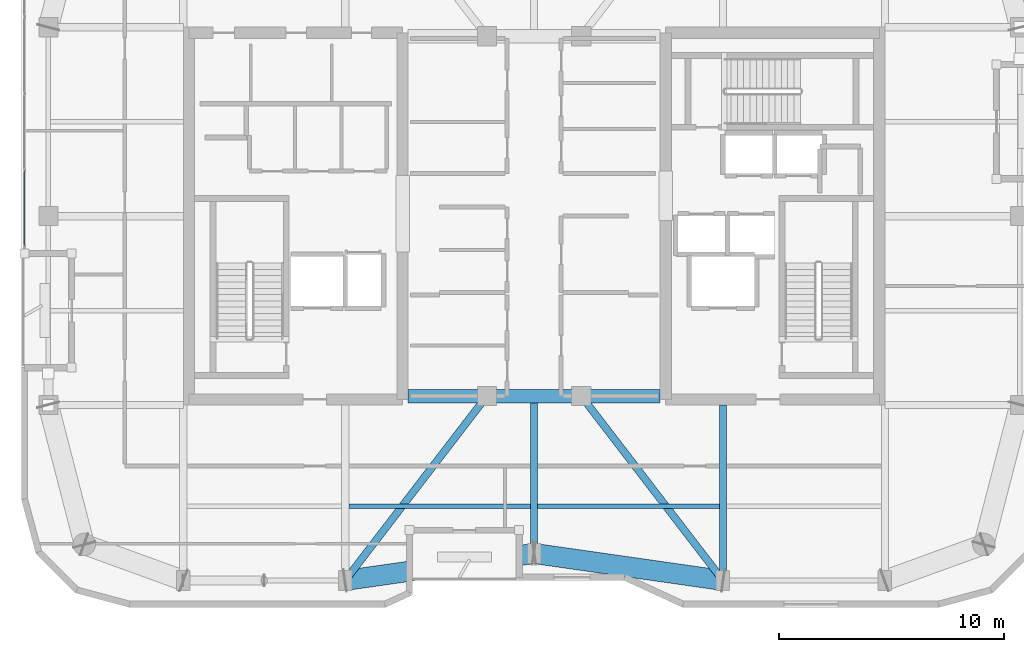
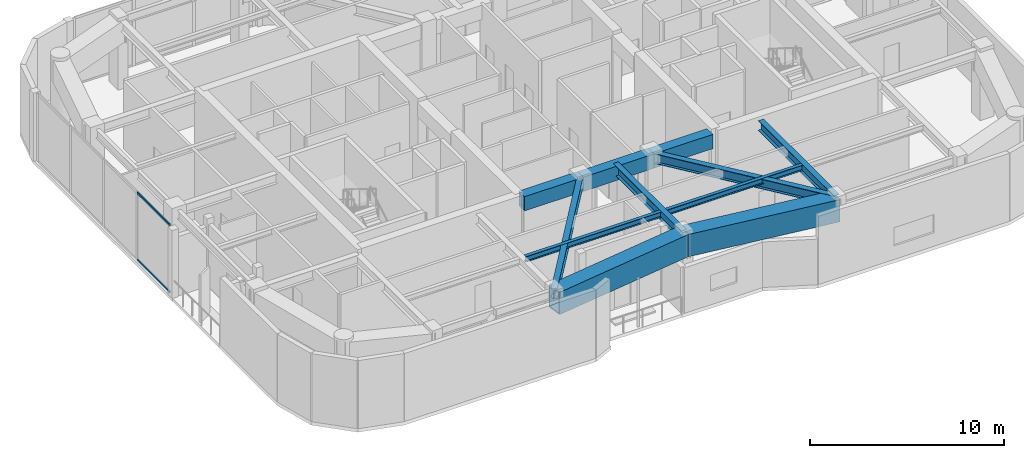
# One storey, part 3 of 15: 11 beams, 2 members, 1 element without a shape of its own.
"""IFC4 building model written with IfcOpenShell, lengths in metres."""

import ifcopenshell
import ifcopenshell.guid

model = None  # the IFC model being written
_history = None  # IfcOwnerHistory: only IFC2X3 demands one
_inside = {}  # id of a spatial element -> (the spatial element, [elements in it])
_under = {}  # id of a project, library or spatial element -> (it, [spatial elements below it])
_declared = {}  # id of a project -> (the project, [libraries it declares])
_typed = {}  # id of a type object -> (the type object, [elements of that type])
_made_of = {}  # id of a material, layer set ... -> (it, [elements and type objects made of it])


def new_model(schema):
    """Start an empty IFC model of exactly this schema.

    Asked for "IFC4X3", IfcOpenShell would pick the latest addendum, in which some entities
    have other attributes; the version numbers below select the first issue.
    IFC2X3 requires an IfcOwnerHistory on every rooted entity: one is made here for all.
    """
    global model, _history
    if schema == "IFC4X3":
        model = ifcopenshell.file(schema_version=(4, 3, 0, 0))
    else:
        model = ifcopenshell.file(schema=schema)
    _inside.clear()
    _under.clear()
    _declared.clear()
    _typed.clear()
    _made_of.clear()
    _history = None
    if model.schema == "IFC2X3":
        org = make("IfcOrganization", Name="unknown")
        user = make(
            "IfcPersonAndOrganization",
            ThePerson=make("IfcPerson", FamilyName="unknown"),
            TheOrganization=org,
        )
        app = make(
            "IfcApplication",
            ApplicationDeveloper=org,
            Version="unknown",
            ApplicationFullName="unknown",
            ApplicationIdentifier="unknown",
        )
        _history = make(
            "IfcOwnerHistory",
            OwningUser=user,
            OwningApplication=app,
            ChangeAction="ADDED",
            CreationDate=0,
        )
    return model


def make(cls, **values):
    """One entity of the class cls with the attributes given. An attribute that is None is left unset."""
    return model.create_entity(
        cls, **{name: value for name, value in values.items() if value is not None}
    )


def rooted(cls, **values):
    """An entity with a GlobalId (a new one), such as an element, a storey or a relation."""
    return make(cls, GlobalId=ifcopenshell.guid.new(), OwnerHistory=_history, **values)


def si_unit(unit_type, name, prefix=None):
    """IfcSIUnit, for example si_unit("LENGTHUNIT", "METRE", prefix="MILLI")."""
    return make("IfcSIUnit", UnitType=unit_type, Prefix=prefix, Name=name)


def assignment(units):
    """IfcUnitAssignment: the units of a project."""
    return None if units is None else make("IfcUnitAssignment", Units=units)


def point(xyz):
    """IfcCartesianPoint."""
    return None if xyz is None else make("IfcCartesianPoint", Coordinates=xyz)


def direction(xyz):
    """IfcDirection."""
    return None if xyz is None else make("IfcDirection", DirectionRatios=xyz)


def frame(location, z_axis=None, x_axis=None):
    """IfcAxis2Placement3D, a coordinate frame: its origin and axes. An axis left out is left unset."""
    return make(
        "IfcAxis2Placement3D",
        Location=point(location),
        Axis=direction(z_axis),
        RefDirection=direction(x_axis),
    )


def frame_2d(location, x_axis=None):
    """IfcAxis2Placement2D, a coordinate frame in the plane: its origin and x axis."""
    return make(
        "IfcAxis2Placement2D", Location=point(location), RefDirection=direction(x_axis)
    )


def origin():
    """The frame at (0, 0, 0) with its axes left unset."""
    return frame((0.0, 0.0, 0.0))


def origin_2d():
    """The frame at (0, 0) in the plane with its x axis left unset."""
    return frame_2d((0.0, 0.0))


def place(relative_to, where):
    """IfcLocalPlacement: puts the frame where relative to a parent placement (None: the world)."""
    return make(
        "IfcLocalPlacement", PlacementRelTo=relative_to, RelativePlacement=where
    )


def context(
    kind, dimensions, precision=None, world=None, true_north=None, identifier=None
):
    """IfcGeometricRepresentationContext, for example the 3D "Model" context."""
    return make(
        "IfcGeometricRepresentationContext",
        ContextIdentifier=identifier,
        ContextType=kind,
        CoordinateSpaceDimension=dimensions,
        Precision=precision,
        WorldCoordinateSystem=world,
        TrueNorth=true_north,
    )


def subcontext(parent, identifier, kind, view, scale=None):
    """IfcGeometricRepresentationSubContext, for example "Body" below "Model"."""
    return make(
        "IfcGeometricRepresentationSubContext",
        ContextIdentifier=identifier,
        ContextType=kind,
        ParentContext=parent,
        TargetScale=scale,
        TargetView=view,
    )


def project(units=None, contexts=None):
    """IfcProject with its units and contexts."""
    return rooted(
        "IfcProject",
        Name="project",
        RepresentationContexts=contexts,
        UnitsInContext=assignment(units),
    )


def spatial(cls, under=None, at=None, **own):
    """A site, building, storey or space (cls), placed at a placement, below another one or the project."""
    s = rooted(cls, ObjectPlacement=at, **own)
    if under is not None:
        _under.setdefault(under.id(), (under, []))[1].append(s)
    return s


def profile(cls, at=None, kind="AREA", **sizes):
    """A parametric profile (cls). Its sizes go by their IFC names, for example OverallWidth=200.0."""
    return make(cls, ProfileType=kind, Position=at, **sizes)


def rectangle(**sizes):
    """IfcRectangleProfileDef."""
    return profile("IfcRectangleProfileDef", **sizes)


def hollow_rectangle(**sizes):
    """IfcRectangleHollowProfileDef."""
    return profile("IfcRectangleHollowProfileDef", **sizes)


def i_section(**sizes):
    """IfcIShapeProfileDef."""
    return profile("IfcIShapeProfileDef", **sizes)


def extrude(swept, where, along, depth):
    """IfcExtrudedAreaSolid: the profile swept, set in the frame where, extruded along a direction by depth."""
    return make(
        "IfcExtrudedAreaSolid",
        SweptArea=swept,
        Position=where,
        ExtrudedDirection=direction(along),
        Depth=depth,
    )


def shape(context_of_items, identifier, shape_type, items):
    """IfcShapeRepresentation: the items that make up one representation, for example the "Body"."""
    return make(
        "IfcShapeRepresentation",
        ContextOfItems=context_of_items,
        RepresentationIdentifier=identifier,
        RepresentationType=shape_type,
        Items=items,
    )


def material(Name=None, Category=None):
    """IfcMaterial."""
    return make("IfcMaterial", Name=Name, Category=Category)


def layer(
    of_material, thickness, ventilated=None, Name=None, Category=None, Priority=None
):
    """IfcMaterialLayer: one layer of a wall or slab, of a material (None: an air gap)."""
    return make(
        "IfcMaterialLayer",
        Material=of_material,
        LayerThickness=thickness,
        IsVentilated=ventilated,
        Name=Name,
        Category=Category,
        Priority=Priority,
    )


def layer_set(layers, Name=None):
    """IfcMaterialLayerSet."""
    return make("IfcMaterialLayerSet", MaterialLayers=layers, LayerSetName=Name)


def material_profile(
    of_material, cross_section, Name=None, Category=None, Priority=None
):
    """IfcMaterialProfile: a cross section and its material."""
    return make(
        "IfcMaterialProfile",
        Name=Name,
        Material=of_material,
        Profile=cross_section,
        Priority=Priority,
        Category=Category,
    )


def profile_set(profiles, Name=None, composite=None):
    """IfcMaterialProfileSet."""
    return make(
        "IfcMaterialProfileSet",
        Name=Name,
        MaterialProfiles=profiles,
        CompositeProfile=composite,
    )


def made_of(thing, what):
    """Note that an element or type object is made of a material, layer set ...; save() writes the relation."""
    if what is not None:
        _made_of.setdefault(what.id(), (what, []))[1].append(thing)
    return thing


def type_object(cls, material=None, **own):
    """A type object (cls), such as IfcWallType, which elements share."""
    return made_of(rooted(cls, **own), material)


def element(
    cls,
    number,
    at=None,
    inside=None,
    cuts=None,
    type_object=None,
    material=None,
    context=None,
    identifier="Body",
    shape_type=None,
    held_by="IfcProductDefinitionShape",
    body=None,
    shapes=None,
    **own,
):
    """One element of the class cls, such as IfcWall. Its Tag is "e" and its number.

    at: its placement. inside: the storey or other place that contains it. cuts: it is an
    opening in that element (IfcRelVoidsElement). A single representation is given by context,
    identifier, shape_type and body (its items); several are given by shapes. held_by: the class
    of the entity that holds the representations. save() writes the other relations.
    """
    e = rooted(cls, Tag="e%d" % number, ObjectPlacement=at, **own)
    if body is not None:
        shapes = [shape(context, identifier, shape_type, body)]
    if shapes is not None:
        e.Representation = make(held_by, Representations=shapes)
    if inside is not None:
        _inside.setdefault(inside.id(), (inside, []))[1].append(e)
    if cuts is not None:
        rooted(
            "IfcRelVoidsElement", RelatingBuildingElement=cuts, RelatedOpeningElement=e
        )
    if type_object is not None:
        _typed.setdefault(type_object.id(), (type_object, []))[1].append(e)
    return made_of(e, material)


def aggregate(whole, parts):
    """IfcRelAggregates: a whole, such as a stair, and the parts it consists of."""
    return rooted("IfcRelAggregates", RelatingObject=whole, RelatedObjects=parts)


def save(model, path):
    """Write the relations noted so far, then the file.

    IfcRelAggregates (storeys below a building ...), IfcRelContainedInSpatialStructure (elements
    in a storey), IfcRelDefinesByType, IfcRelAssociatesMaterial and IfcRelDeclares: one each for
    every whole, place, type object, material and project.
    """
    for whole, parts in _under.values():
        aggregate(whole, parts)
    for where, things in _inside.values():
        rooted(
            "IfcRelContainedInSpatialStructure",
            RelatedElements=things,
            RelatingStructure=where,
        )
    for kind, things in _typed.values():
        rooted("IfcRelDefinesByType", RelatedObjects=things, RelatingType=kind)
    for what, things in _made_of.values():
        rooted("IfcRelAssociatesMaterial", RelatedObjects=things, RelatingMaterial=what)
    for by, libraries in _declared.values():
        rooted("IfcRelDeclares", RelatingContext=by, RelatedDefinitions=libraries)
    model.write(path)


model = new_model("IFC4")

# Units and contexts
model_context = context("Model", 3, precision=1e-05, world=origin(), true_north=direction((0.0, 1.0)))
body_context = subcontext(model_context, "Body", "Model", "MODEL_VIEW")
ifc_project = project(units=[si_unit("LENGTHUNIT", "METRE"), si_unit("AREAUNIT", "SQUARE_METRE"), si_unit("VOLUMEUNIT", "CUBIC_METRE"), si_unit("PLANEANGLEUNIT", "RADIAN"), si_unit("MASSUNIT", "GRAM", prefix="KILO")], contexts=[model_context])

# Site, building, storey
site_placement = place(None, origin())
site = spatial("IfcSite", under=ifc_project, at=site_placement, CompositionType="ELEMENT")
building_placement = place(site_placement, origin())
building = spatial("IfcBuilding", under=site, at=building_placement, Name="Kiyonajd Concourse Tower", CompositionType="ELEMENT")
storey_placement = place(building_placement, frame((0.0, 0.0, 342.0)))
storey = spatial("IfcBuildingStorey", under=building, at=storey_placement, Name="L86", CompositionType="ELEMENT", Elevation=342.0)

# Beams
ifc_material_1 = material(Name="Concrete C60/75", Category="concrete")
ifc_material_profile_1 = material_profile(ifc_material_1, rectangle(XDim=0.60009765625, YDim=0.89990234375, at=origin_2d()), Name="RCBM-600x900")
ifc_profile_set_1 = profile_set([ifc_material_profile_1], Name="Concrete C60/75")
beam_type_1 = type_object("IfcBeamType", Name="BM-COUP-900", PredefinedType="LINTEL", material=ifc_profile_set_1)
beam_1_placement = place(storey_placement, frame((42.39990234375, 28.0, 3.830078125), z_axis=(1.0, 0.0, 0.0), x_axis=(0.0, 1.0, 0.0)))
element("IfcBeam", 1, at=beam_1_placement, inside=storey, type_object=beam_type_1, Name="L86 Core Coupling Beam S1", PredefinedType="LINTEL", context=body_context, shape_type="SweptSolid", body=[
    extrude(rectangle(XDim=0.60009765625, YDim=0.89990234375, at=origin_2d()), origin(), (0.0, 0.0, 1.0), 3.5),
])
beam_2_placement = place(storey_placement, frame((45.89990234375, 28.0, 3.830078125), z_axis=(1.0, 0.0, 0.0), x_axis=(0.0, 1.0, 0.0)))
element("IfcBeam", 2, at=beam_2_placement, inside=storey, type_object=beam_type_1, Name="L86 Core Coupling Beam S2", PredefinedType="LINTEL", context=body_context, shape_type="SweptSolid", body=[
    extrude(rectangle(XDim=0.60009765625, YDim=0.89990234375, at=origin_2d()), origin(), (0.0, 0.0, 1.0), 4.2001953125),
])
beam_3_placement = place(storey_placement, frame((50.10009765625, 28.0, 3.830078125), z_axis=(1.0, 0.0, 0.0), x_axis=(0.0, 1.0, 0.0)))
element("IfcBeam", 3, at=beam_3_placement, inside=storey, type_object=beam_type_1, Name="L86 Core Coupling Beam S3", PredefinedType="LINTEL", context=body_context, shape_type="SweptSolid", body=[
    extrude(rectangle(XDim=0.60009765625, YDim=0.89990234375, at=origin_2d()), origin(), (0.0, 0.0, 1.0), 3.5),
])
ifc_material_2 = material(Name="Steel ASTM A992 Grade 50", Category="steel")
ifc_material_profile_2 = material_profile(ifc_material_2, i_section(OverallWidth=0.205078125, OverallDepth=0.35400390625, WebThickness=0.009521484375, FlangeThickness=0.016845703125, at=origin_2d()), Name="W360X79")
ifc_profile_set_2 = profile_set([ifc_material_profile_2], Name="Steel ASTM A992 Grade 50")
beam_type_2 = type_object("IfcBeamType", Name="BM-JST-360", PredefinedType="JOIST", material=ifc_profile_set_2)
for number, where, z_axis, x_axis, name in (
    (4, (39.761962890625, 23.10009765625, 4.10302734375), (1.0, 0.0, 0.0), (0.0, 1.0, 0.0), "L86 Secondary Floor Joist"),
    (5, (48.162109375, 23.10009765625, 4.10302734375), (1.0, 0.0, 0.0), (0.0, 1.0, 0.0), "L86 Secondary Floor Joist"),
):
    element("IfcBeam", number, at=place(storey_placement, frame(where, z_axis=z_axis, x_axis=x_axis)), inside=storey, type_object=beam_type_2, Name=name, PredefinedType="JOIST", context=body_context, shape_type="SweptSolid", body=[
        extrude(i_section(OverallWidth=0.205078125, OverallDepth=0.35400390625, WebThickness=0.009521484375, FlangeThickness=0.016845703125, at=origin_2d()), origin(), (0.0, 0.0, 1.0), 8.075927734375),
    ])
ifc_material_profile_3 = material_profile(ifc_material_2, i_section(OverallWidth=0.326904296875, OverallDepth=0.6220703125, WebThickness=0.015380859375, FlangeThickness=0.0244140625, at=origin_2d()), Name="W610X195")
ifc_profile_set_3 = profile_set([ifc_material_profile_3], Name="Steel ASTM A992 Grade 50")
beam_type_3 = type_object("IfcBeamType", Name="BM-TWR-610A", PredefinedType="BEAM", material=ifc_profile_set_3)
for number, where, z_axis, x_axis, name in (
    (6, (39.60009765625, 19.800048828125, 3.968994140625), (0.609233709922, 0.792990722956, 0.0), (-0.792990722956, 0.609233709922, 0.0), "L86 Core Tie Girder"),
    (7, (50.10009765625, 28.0, 3.968994140625), (0.609233709922, -0.792990722956, 0.0), (0.792990722956, 0.609233709922, 0.0), "L86 Core Tie Girder"),
):
    element("IfcBeam", number, at=place(storey_placement, frame(where, z_axis=z_axis, x_axis=x_axis)), inside=storey, type_object=beam_type_3, Name=name, PredefinedType="BEAM", context=body_context, shape_type="SweptSolid", body=[
        extrude(i_section(OverallWidth=0.326904296875, OverallDepth=0.6220703125, WebThickness=0.015380859375, FlangeThickness=0.0244140625, at=origin_2d()), origin(), (0.0, 0.0, 1.0), 10.340576171875),
    ])
ifc_material_profile_4 = material_profile(ifc_material_2, i_section(OverallWidth=0.323974609375, OverallDepth=0.611083984375, WebThickness=0.0126953125, FlangeThickness=0.01904296875, at=origin_2d()), Name="W610X155")
ifc_profile_set_4 = profile_set([ifc_material_profile_4], Name="Steel ASTM A992 Grade 50")
beam_type_4 = type_object("IfcBeamType", Name="BM-TWR-610B", PredefinedType="BEAM", material=ifc_profile_set_4)
beam_4_placement = place(storey_placement, frame((56.39990234375, 19.800048828125, 3.974609375), z_axis=(0.0, 1.0, 0.0), x_axis=(-1.0, 0.0, 0.0)))
element("IfcBeam", 8, at=beam_4_placement, inside=storey, type_object=beam_type_4, Name="L86 South Lease Girder", PredefinedType="BEAM", context=body_context, shape_type="SweptSolid", body=[
    extrude(i_section(OverallWidth=0.323974609375, OverallDepth=0.611083984375, WebThickness=0.0126953125, FlangeThickness=0.01904296875, at=origin_2d()), origin(), (0.0, 0.0, 1.0), 7.800048828125),
])
beam_5_placement = place(storey_placement, frame((48.0, 21.0, 3.974609375), z_axis=(0.0, 1.0, 0.0), x_axis=(-1.0, 0.0, 0.0)))
element("IfcBeam", 9, at=beam_5_placement, inside=storey, type_object=beam_type_4, Name="L86 South Ribbon Girder", PredefinedType="BEAM", context=body_context, shape_type="SweptSolid", body=[
    extrude(i_section(OverallWidth=0.323974609375, OverallDepth=0.611083984375, WebThickness=0.0126953125, FlangeThickness=0.01904296875, at=origin_2d()), origin(), (0.0, 0.0, 1.0), 7.0),
])
ifc_material_3 = material(Name="Steel ASTM A572 Grade 50", Category="steel")
ifc_material_profile_5 = material_profile(ifc_material_3, hollow_rectangle(XDim=0.89990234375, YDim=1.39990234375, WallThickness=0.070068359375, at=origin_2d()), Name="BOX-1400x900x70")
ifc_profile_set_5 = profile_set([ifc_material_profile_5], Name="Steel ASTM A572 Grade 50")
beam_type_5 = type_object("IfcBeamType", Name="BM-XFER-1400", PredefinedType="BEAM", material=ifc_profile_set_5)
for number, where, z_axis, x_axis, name in (
    (10, (39.60009765625, 19.800048828125, 3.580078125), (0.989950069105, 0.141417328072, 0.0), (-0.141417328072, 0.989950069105, 0.0), "L86 Perimeter Bundled Tube Spandrel"),
    (11, (48.0, 21.0, 3.580078125), (0.989950069105, -0.141417328072, 0.0), (0.141417328072, 0.989950069105, 0.0), "L86 Perimeter Bundled Tube Spandrel"),
):
    element("IfcBeam", number, at=place(storey_placement, frame(where, z_axis=z_axis, x_axis=x_axis)), inside=storey, type_object=beam_type_5, Name=name, PredefinedType="BEAM", context=body_context, shape_type="SweptSolid", body=[
        extrude(hollow_rectangle(XDim=0.89990234375, YDim=1.39990234375, WallThickness=0.070068359375, at=origin_2d()), origin(), (0.0, 0.0, 1.0), 8.485107421875),
    ])

# Curtain wall, members
ifc_material_4 = material(Name="Thermally Broken Anodised Aluminium", Category="aluminium")
ifc_layer = layer(ifc_material_4, 0.179931640625)
ifc_layer_set = layer_set([ifc_layer], Name="Thermally Broken Anodised Aluminium")
curtain_wall_type = type_object("IfcCurtainWallType", Name="CW-SYS-04", PredefinedType="NOTDEFINED", material=ifc_layer_set)
curtain_wall_placement = place(storey_placement, origin())
curtain_wall = element("IfcCurtainWall", 12, at=curtain_wall_placement, inside=storey, type_object=curtain_wall_type, Name="L86 Unitised Curtain Wall CW4", PredefinedType="NOTDEFINED")
ifc_material_profile_6 = material_profile(ifc_material_4, hollow_rectangle(XDim=0.06494140625, YDim=0.139892578125, WallThickness=0.00390625, at=origin_2d()), Name="TRAN-65x140")
ifc_profile_set_6 = profile_set([ifc_material_profile_6], Name="Thermally Broken Anodised Aluminium")
member_type = type_object("IfcMemberType", Name="MB-CW-TRAN1", PredefinedType="USERDEFINED", material=ifc_profile_set_6)
member_1_placement = place(storey_placement, frame((25.340087890625, 34.695068359375, 0.032470703125), z_axis=(0.0, 1.0, 0.0), x_axis=(-1.0, 0.0, 0.0)))
member_1 = element("IfcMember", 13, at=member_1_placement, type_object=member_type, Name="CW4 transom 1.1", ObjectType="TRANSOM", PredefinedType="USERDEFINED", context=body_context, shape_type="SweptSolid", body=[
    extrude(hollow_rectangle(XDim=0.06494140625, YDim=0.139892578125, WallThickness=0.00390625, at=origin_2d()), origin(), (0.0, 0.0, 1.0), 3.31787109375),
])
member_2_placement = place(storey_placement, frame((25.340087890625, 34.695068359375, 4.24755859375), z_axis=(0.0, 1.0, 0.0), x_axis=(-1.0, 0.0, 0.0)))
member_2 = element("IfcMember", 14, at=member_2_placement, type_object=member_type, Name="CW4 transom 1.2", ObjectType="TRANSOM", PredefinedType="USERDEFINED", context=body_context, shape_type="SweptSolid", body=[
    extrude(hollow_rectangle(XDim=0.06494140625, YDim=0.139892578125, WallThickness=0.00390625, at=origin_2d()), origin(), (0.0, 0.0, 1.0), 3.31787109375),
])
aggregate(curtain_wall, [member_1, member_2])

save(model, "model.ifc")
